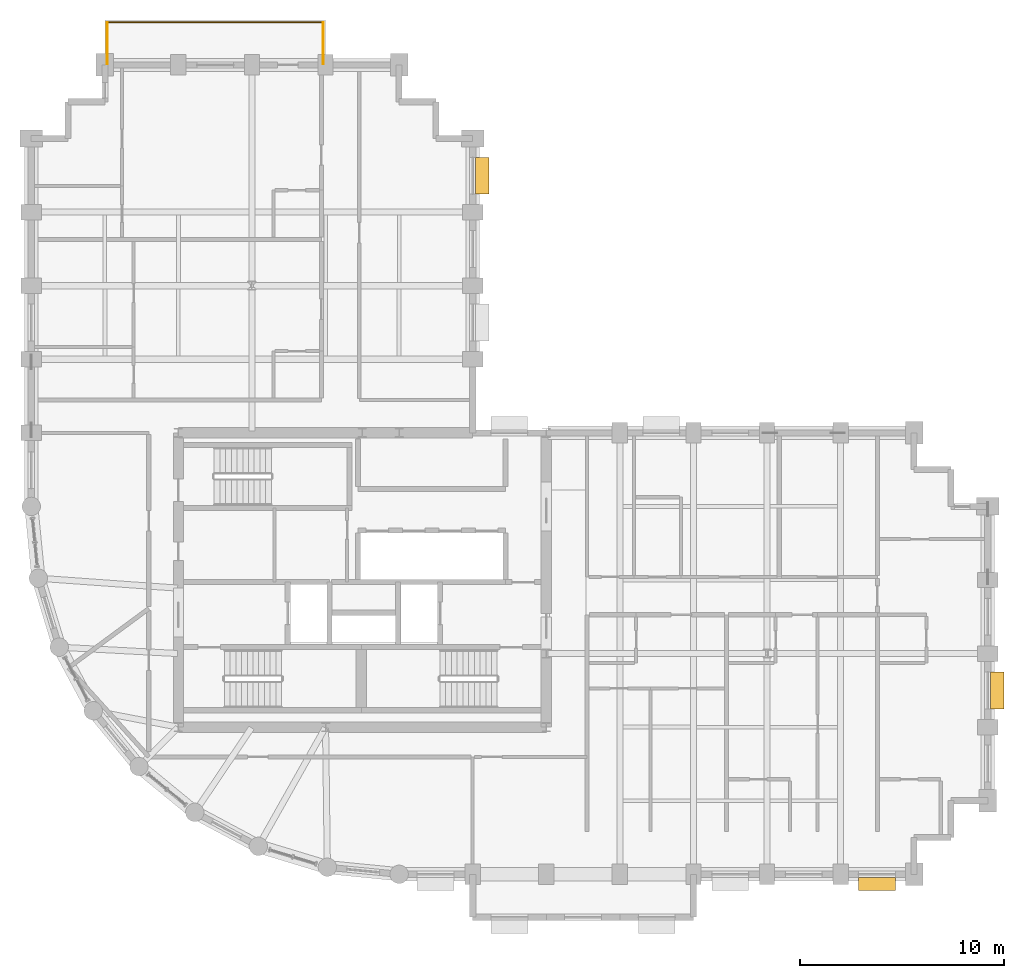
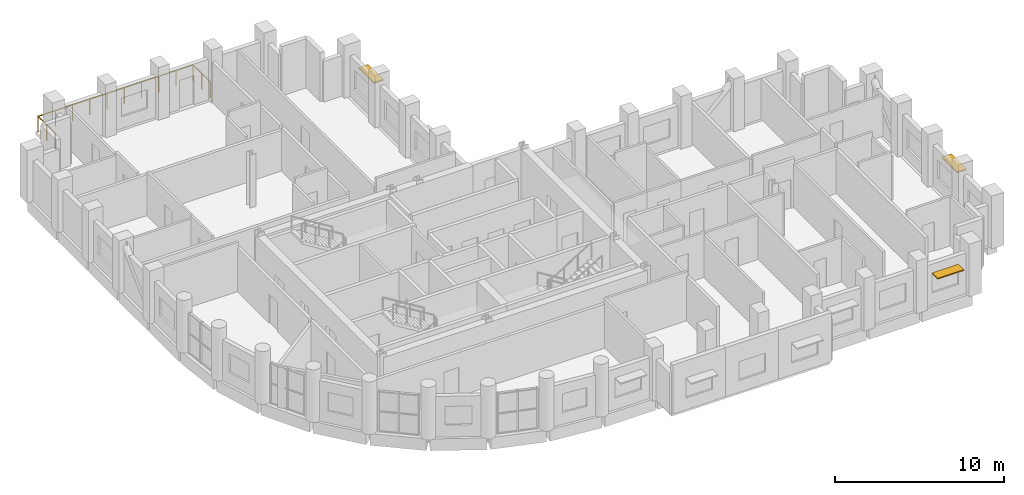
# One storey, part 14 of 14: 3 railings, 3 shading devices.
"""IFC4 building model written with IfcOpenShell, lengths in metres."""

from ifc_helpers import new_model, si_unit, direction, frame, origin, origin_2d, place, context, subcontext, project, spatial, rectangle, circle, extrude, material, layer, layer_set, type_object, element, save


model = new_model("IFC4")

# Units and contexts
model_context = context("Model", 3, precision=1e-05, world=origin(), true_north=direction((0.0, 1.0)))
body_context = subcontext(model_context, "Body", "Model", "MODEL_VIEW")
ifc_project = project(units=[si_unit("LENGTHUNIT", "METRE"), si_unit("AREAUNIT", "SQUARE_METRE"), si_unit("VOLUMEUNIT", "CUBIC_METRE"), si_unit("PLANEANGLEUNIT", "RADIAN"), si_unit("MASSUNIT", "GRAM", prefix="KILO")], contexts=[model_context])

# Site, building, storey
site_placement = place(None, origin())
site = spatial("IfcSite", under=ifc_project, at=site_placement, CompositionType="ELEMENT")
building_placement = place(site_placement, origin())
building = spatial("IfcBuilding", under=site, at=building_placement, Name="Solnavia Interchange Tower", CompositionType="ELEMENT")
storey_placement = place(building_placement, frame((0.0, 0.0, 135.199951171875)))
storey = spatial("IfcBuildingStorey", under=building, at=storey_placement, Name="L33", CompositionType="ELEMENT", Elevation=135.199951171875)

# Railings
ifc_material_1 = material(Name="Laminated Safety Glass & Stainless Steel", Category="steel")
railing_type = type_object("IfcRailingType", Name="Railing-TerraceGuard-1150", PredefinedType="GUARDRAIL", material=ifc_material_1)
railing_1_placement = place(storey_placement, frame((10.919921875, 43.25, -0.0400390625)))
element("IfcRailing", 1, at=railing_1_placement, inside=storey, type_object=railing_type, Name="GRD-L33-TER-01 Perimeter terrace guardrail", PredefinedType="GUARDRAIL", context=body_context, shape_type="SweptSolid", body=[
    extrude(circle(Radius=0.02392578125, at=origin_2d()), frame((0.0, 0.0, 1.1259765625), z_axis=(0.0, 1.0, 0.0), x_axis=(-1.0, 0.0, 0.0)), (0.0, 0.0, 1.0), 2.030029296875),
    extrude(circle(Radius=0.02099609375, at=origin_2d()), origin(), (0.0, 0.0, 1.0), 1.101806640625),
    extrude(circle(Radius=0.02099609375, at=origin_2d()), frame((0.0, 1.01513671875, 0.0)), (0.0, 0.0, 1.0), 1.101806640625),
    extrude(circle(Radius=0.02099609375, at=origin_2d()), frame((0.0, 2.030029296875, 0.0)), (0.0, 0.0, 1.0), 1.101806640625),
])
railing_2_placement = place(storey_placement, frame((10.919921875, 45.280029296875, -0.0400390625)))
element("IfcRailing", 2, at=railing_2_placement, inside=storey, type_object=railing_type, Name="GRD-L33-TER-02 Perimeter terrace guardrail", PredefinedType="GUARDRAIL", context=body_context, shape_type="SweptSolid", body=[
    extrude(circle(Radius=0.02392578125, at=origin_2d()), frame((0.0, 0.0, 1.1259765625), z_axis=(1.0, 0.0, 0.0), x_axis=(0.0, 1.0, 0.0)), (0.0, 0.0, 1.0), 10.56005859375),
    extrude(circle(Radius=0.02099609375, at=origin_2d()), origin(), (0.0, 0.0, 1.0), 1.101806640625),
    extrude(circle(Radius=0.02099609375, at=origin_2d()), frame((1.17333984375, 0.0, 0.0)), (0.0, 0.0, 1.0), 1.101806640625),
    extrude(circle(Radius=0.02099609375, at=origin_2d()), frame((2.3466796875, 0.0, 0.0)), (0.0, 0.0, 1.0), 1.101806640625),
    extrude(circle(Radius=0.02099609375, at=origin_2d()), frame((3.52001953125, 0.0, 0.0)), (0.0, 0.0, 1.0), 1.101806640625),
    extrude(circle(Radius=0.02099609375, at=origin_2d()), frame((4.693359375, 0.0, 0.0)), (0.0, 0.0, 1.0), 1.101806640625),
    extrude(circle(Radius=0.02099609375, at=origin_2d()), frame((5.86669921875, 0.0, 0.0)), (0.0, 0.0, 1.0), 1.101806640625),
    extrude(circle(Radius=0.02099609375, at=origin_2d()), frame((7.0400390625, 0.0, 0.0)), (0.0, 0.0, 1.0), 1.101806640625),
    extrude(circle(Radius=0.02099609375, at=origin_2d()), frame((8.21337890625, 0.0, 0.0)), (0.0, 0.0, 1.0), 1.101806640625),
    extrude(circle(Radius=0.02099609375, at=origin_2d()), frame((9.38671875, 0.0, 0.0)), (0.0, 0.0, 1.0), 1.101806640625),
    extrude(circle(Radius=0.02099609375, at=origin_2d()), frame((10.56005859375, 0.0, 0.0)), (0.0, 0.0, 1.0), 1.101806640625),
])
railing_3_placement = place(storey_placement, frame((21.47998046875, 45.280029296875, -0.0400390625)))
element("IfcRailing", 3, at=railing_3_placement, inside=storey, type_object=railing_type, Name="GRD-L33-TER-03 Perimeter terrace guardrail", PredefinedType="GUARDRAIL", context=body_context, shape_type="SweptSolid", body=[
    extrude(circle(Radius=0.02392578125, at=origin_2d()), frame((0.0, 0.0, 1.1259765625), z_axis=(0.0, -1.0, 0.0), x_axis=(1.0, 0.0, 0.0)), (0.0, 0.0, 1.0), 2.030029296875),
    extrude(circle(Radius=0.02099609375, at=origin_2d()), origin(), (0.0, 0.0, 1.0), 1.101806640625),
    extrude(circle(Radius=0.02099609375, at=origin_2d()), frame((0.0, -1.01513671875, 0.0)), (0.0, 0.0, 1.0), 1.101806640625),
    extrude(circle(Radius=0.02099609375, at=origin_2d()), frame((0.0, -2.030029296875, 0.0)), (0.0, 0.0, 1.0), 1.101806640625),
])

# Shading devices
ifc_material_2 = material(Name="Anodised Aluminium Sunshade", Category="aluminium")
ifc_layer = layer(ifc_material_2, 0.080078125)
ifc_layer_set = layer_set([ifc_layer], Name="Anodised Aluminium Sunshade")
shading_device_type = type_object("IfcShadingDeviceType", Name="Sunshade-Band-650", PredefinedType="SHUTTER", material=ifc_layer_set)
for number, where, z_axis, x_axis, name in (
    (4, (48.574951171875, 3.1298828125, 2.219970703125), (0.0, 0.0, 1.0), (-1.0, 0.0, 0.0), "SHD-L33-09 Horizontal sunshade band"),
    (5, (54.469970703125, 12.60009765625, 2.219970703125), (0.0, 0.0, 1.0), (0.0, -1.0, 0.0), "SHD-L33-15 Horizontal sunshade band"),
    (6, (29.27001953125, 37.77490234375, 2.219970703125), (0.0, 0.0, 1.0), (0.0, -1.0, 0.0), "SHD-L33-31 Horizontal sunshade band"),
):
    element("IfcShadingDevice", number, at=place(storey_placement, frame(where, z_axis=z_axis, x_axis=x_axis)), inside=storey, type_object=shading_device_type, Name=name, PredefinedType="SHUTTER", context=body_context, shape_type="SweptSolid", body=[
        extrude(rectangle(XDim=1.800048828125, YDim=0.64990234375, at=origin_2d()), origin(), (0.0, 0.0, 1.0), 0.080078125),
    ])

save(model, "model.ifc")
